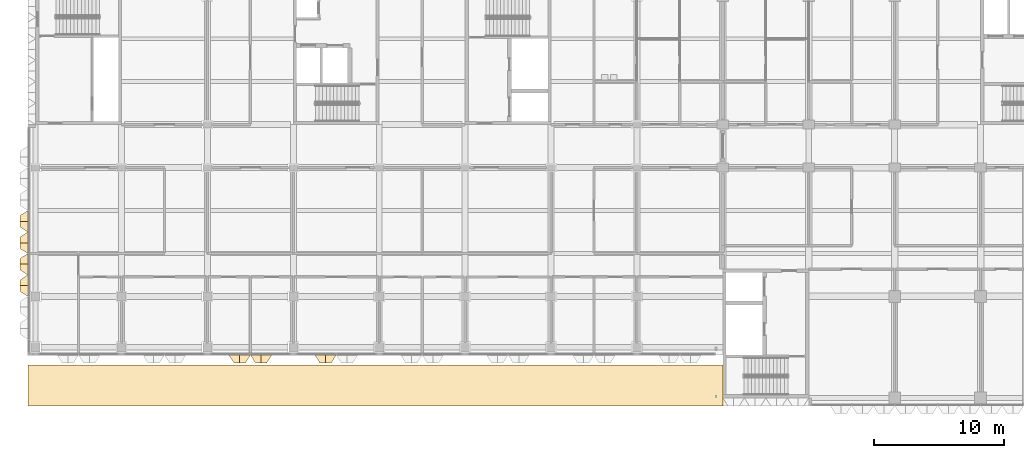
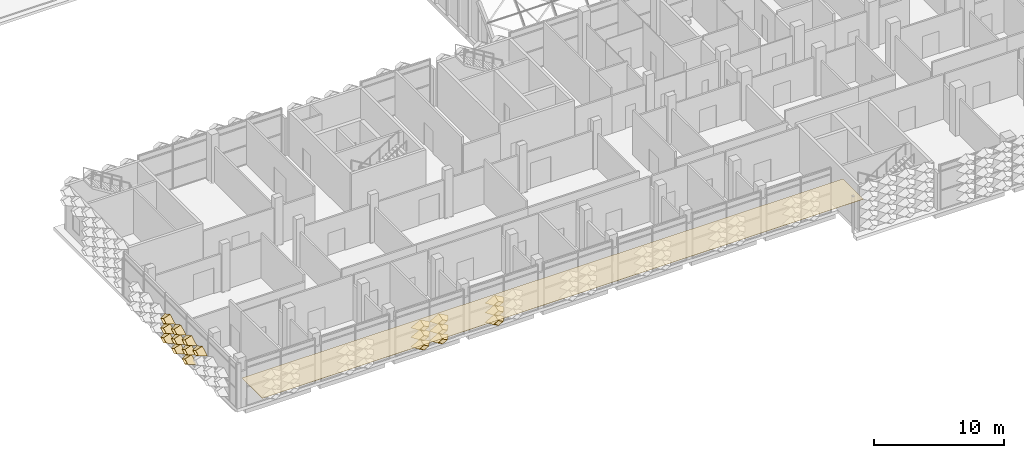
# One storey, part 63 of 109: 20 coverings.
"""IFC4 building model written with IfcOpenShell, lengths in metres."""

import ifcopenshell
import ifcopenshell.guid

model = None  # the IFC model being written
_history = None  # IfcOwnerHistory: only IFC2X3 demands one
_inside = {}  # id of a spatial element -> (the spatial element, [elements in it])
_under = {}  # id of a project, library or spatial element -> (it, [spatial elements below it])
_declared = {}  # id of a project -> (the project, [libraries it declares])
_typed = {}  # id of a type object -> (the type object, [elements of that type])
_made_of = {}  # id of a material, layer set ... -> (it, [elements and type objects made of it])


def new_model(schema):
    """Start an empty IFC model of exactly this schema.

    Asked for "IFC4X3", IfcOpenShell would pick the latest addendum, in which some entities
    have other attributes; the version numbers below select the first issue.
    IFC2X3 requires an IfcOwnerHistory on every rooted entity: one is made here for all.
    """
    global model, _history
    if schema == "IFC4X3":
        model = ifcopenshell.file(schema_version=(4, 3, 0, 0))
    else:
        model = ifcopenshell.file(schema=schema)
    _inside.clear()
    _under.clear()
    _declared.clear()
    _typed.clear()
    _made_of.clear()
    _history = None
    if model.schema == "IFC2X3":
        org = make("IfcOrganization", Name="unknown")
        user = make(
            "IfcPersonAndOrganization",
            ThePerson=make("IfcPerson", FamilyName="unknown"),
            TheOrganization=org,
        )
        app = make(
            "IfcApplication",
            ApplicationDeveloper=org,
            Version="unknown",
            ApplicationFullName="unknown",
            ApplicationIdentifier="unknown",
        )
        _history = make(
            "IfcOwnerHistory",
            OwningUser=user,
            OwningApplication=app,
            ChangeAction="ADDED",
            CreationDate=0,
        )
    return model


def make(cls, **values):
    """One entity of the class cls with the attributes given. An attribute that is None is left unset."""
    return model.create_entity(
        cls, **{name: value for name, value in values.items() if value is not None}
    )


def entity(cls, *values):
    """Any entity or typed value of the class cls, its attributes in the order of the schema. None: left unset."""
    e = model.create_entity(cls)
    for i, value in enumerate(values):
        if value is not None:
            e[i] = value
    return e


def rooted(cls, **values):
    """An entity with a GlobalId (a new one), such as an element, a storey or a relation."""
    return make(cls, GlobalId=ifcopenshell.guid.new(), OwnerHistory=_history, **values)


def si_unit(unit_type, name, prefix=None):
    """IfcSIUnit, for example si_unit("LENGTHUNIT", "METRE", prefix="MILLI")."""
    return make("IfcSIUnit", UnitType=unit_type, Prefix=prefix, Name=name)


def assignment(units):
    """IfcUnitAssignment: the units of a project."""
    return None if units is None else make("IfcUnitAssignment", Units=units)


def point(xyz):
    """IfcCartesianPoint."""
    return None if xyz is None else make("IfcCartesianPoint", Coordinates=xyz)


def direction(xyz):
    """IfcDirection."""
    return None if xyz is None else make("IfcDirection", DirectionRatios=xyz)


def frame(location, z_axis=None, x_axis=None):
    """IfcAxis2Placement3D, a coordinate frame: its origin and axes. An axis left out is left unset."""
    return make(
        "IfcAxis2Placement3D",
        Location=point(location),
        Axis=direction(z_axis),
        RefDirection=direction(x_axis),
    )


def origin():
    """The frame at (0, 0, 0) with its axes left unset."""
    return frame((0.0, 0.0, 0.0))


def place(relative_to, where):
    """IfcLocalPlacement: puts the frame where relative to a parent placement (None: the world)."""
    return make(
        "IfcLocalPlacement", PlacementRelTo=relative_to, RelativePlacement=where
    )


def context(
    kind, dimensions, precision=None, world=None, true_north=None, identifier=None
):
    """IfcGeometricRepresentationContext, for example the 3D "Model" context."""
    return make(
        "IfcGeometricRepresentationContext",
        ContextIdentifier=identifier,
        ContextType=kind,
        CoordinateSpaceDimension=dimensions,
        Precision=precision,
        WorldCoordinateSystem=world,
        TrueNorth=true_north,
    )


def subcontext(parent, identifier, kind, view, scale=None):
    """IfcGeometricRepresentationSubContext, for example "Body" below "Model"."""
    return make(
        "IfcGeometricRepresentationSubContext",
        ContextIdentifier=identifier,
        ContextType=kind,
        ParentContext=parent,
        TargetScale=scale,
        TargetView=view,
    )


def project(units=None, contexts=None):
    """IfcProject with its units and contexts."""
    return rooted(
        "IfcProject",
        Name="project",
        RepresentationContexts=contexts,
        UnitsInContext=assignment(units),
    )


def spatial(cls, under=None, at=None, **own):
    """A site, building, storey or space (cls), placed at a placement, below another one or the project."""
    s = rooted(cls, ObjectPlacement=at, **own)
    if under is not None:
        _under.setdefault(under.id(), (under, []))[1].append(s)
    return s


def polyline(points):
    """IfcPolyline through the points."""
    return make("IfcPolyline", Points=[point(p) for p in points])


def outline(outer, holes=None, kind="AREA"):
    """IfcArbitraryClosedProfileDef: a profile drawn as a closed curve; with holes, ...WithVoids."""
    if holes is None:
        return make("IfcArbitraryClosedProfileDef", ProfileType=kind, OuterCurve=outer)
    return make(
        "IfcArbitraryProfileDefWithVoids",
        ProfileType=kind,
        OuterCurve=outer,
        InnerCurves=holes,
    )


def extrude(swept, where, along, depth):
    """IfcExtrudedAreaSolid: the profile swept, set in the frame where, extruded along a direction by depth."""
    return make(
        "IfcExtrudedAreaSolid",
        SweptArea=swept,
        Position=where,
        ExtrudedDirection=direction(along),
        Depth=depth,
    )


def shape(context_of_items, identifier, shape_type, items):
    """IfcShapeRepresentation: the items that make up one representation, for example the "Body"."""
    return make(
        "IfcShapeRepresentation",
        ContextOfItems=context_of_items,
        RepresentationIdentifier=identifier,
        RepresentationType=shape_type,
        Items=items,
    )


def material(Name=None, Category=None):
    """IfcMaterial."""
    return make("IfcMaterial", Name=Name, Category=Category)


def layer(
    of_material, thickness, ventilated=None, Name=None, Category=None, Priority=None
):
    """IfcMaterialLayer: one layer of a wall or slab, of a material (None: an air gap)."""
    return make(
        "IfcMaterialLayer",
        Material=of_material,
        LayerThickness=thickness,
        IsVentilated=ventilated,
        Name=Name,
        Category=Category,
        Priority=Priority,
    )


def layer_set(layers, Name=None):
    """IfcMaterialLayerSet."""
    return make("IfcMaterialLayerSet", MaterialLayers=layers, LayerSetName=Name)


def made_of(thing, what):
    """Note that an element or type object is made of a material, layer set ...; save() writes the relation."""
    if what is not None:
        _made_of.setdefault(what.id(), (what, []))[1].append(thing)
    return thing


def type_object(cls, material=None, **own):
    """A type object (cls), such as IfcWallType, which elements share."""
    return made_of(rooted(cls, **own), material)


def element(
    cls,
    number,
    at=None,
    inside=None,
    cuts=None,
    type_object=None,
    material=None,
    context=None,
    identifier="Body",
    shape_type=None,
    held_by="IfcProductDefinitionShape",
    body=None,
    shapes=None,
    **own,
):
    """One element of the class cls, such as IfcWall. Its Tag is "e" and its number.

    at: its placement. inside: the storey or other place that contains it. cuts: it is an
    opening in that element (IfcRelVoidsElement). A single representation is given by context,
    identifier, shape_type and body (its items); several are given by shapes. held_by: the class
    of the entity that holds the representations. save() writes the other relations.
    """
    e = rooted(cls, Tag="e%d" % number, ObjectPlacement=at, **own)
    if body is not None:
        shapes = [shape(context, identifier, shape_type, body)]
    if shapes is not None:
        e.Representation = make(held_by, Representations=shapes)
    if inside is not None:
        _inside.setdefault(inside.id(), (inside, []))[1].append(e)
    if cuts is not None:
        rooted(
            "IfcRelVoidsElement", RelatingBuildingElement=cuts, RelatedOpeningElement=e
        )
    if type_object is not None:
        _typed.setdefault(type_object.id(), (type_object, []))[1].append(e)
    return made_of(e, material)


def aggregate(whole, parts):
    """IfcRelAggregates: a whole, such as a stair, and the parts it consists of."""
    return rooted("IfcRelAggregates", RelatingObject=whole, RelatedObjects=parts)


def save(model, path):
    """Write the relations noted so far, then the file.

    IfcRelAggregates (storeys below a building ...), IfcRelContainedInSpatialStructure (elements
    in a storey), IfcRelDefinesByType, IfcRelAssociatesMaterial and IfcRelDeclares: one each for
    every whole, place, type object, material and project.
    """
    for whole, parts in _under.values():
        aggregate(whole, parts)
    for where, things in _inside.values():
        rooted(
            "IfcRelContainedInSpatialStructure",
            RelatedElements=things,
            RelatingStructure=where,
        )
    for kind, things in _typed.values():
        rooted("IfcRelDefinesByType", RelatedObjects=things, RelatingType=kind)
    for what, things in _made_of.values():
        rooted("IfcRelAssociatesMaterial", RelatedObjects=things, RelatingMaterial=what)
    for by, libraries in _declared.values():
        rooted("IfcRelDeclares", RelatingContext=by, RelatedDefinitions=libraries)
    model.write(path)


model = new_model("IFC4")

# Units and contexts
model_context = context("Model", 3, precision=1e-05, world=origin(), true_north=direction((0.0, 1.0)))
body_context = subcontext(model_context, "Body", "Model", "MODEL_VIEW")
ifc_project = project(units=[si_unit("LENGTHUNIT", "METRE"), si_unit("AREAUNIT", "SQUARE_METRE"), si_unit("VOLUMEUNIT", "CUBIC_METRE"), si_unit("PLANEANGLEUNIT", "RADIAN"), si_unit("MASSUNIT", "GRAM", prefix="KILO")], contexts=[model_context])

# Site, building, storey
site_placement = place(None, origin())
site = spatial("IfcSite", under=ifc_project, at=site_placement, CompositionType="ELEMENT")
building_placement = place(site_placement, origin())
building = spatial("IfcBuilding", under=site, at=building_placement, Name="Lantern Court Research Institute", CompositionType="ELEMENT")
storey_placement = place(building_placement, frame((0.0, 0.0, 14.39990234375)))
storey = spatial("IfcBuildingStorey", under=building, at=storey_placement, Name="L03", CompositionType="ELEMENT", Elevation=14.39990234375)

# Coverings
ifc_material_1 = material(Name="Anodised aluminium", Category="aluminium")
ifc_layer_1 = layer(ifc_material_1, 0.01611328125)
ifc_layer_set_1 = layer_set([ifc_layer_1], Name="Anodised aluminium")
covering_type_1 = type_object("IfcCoveringType", Name="Fin cassette 1650 x 900 x 600 aluminium", PredefinedType="CLADDING", material=ifc_layer_set_1)
covering_1_placement = place(storey_placement, frame((15.675048828125, -4.5, 0.4501953125), z_axis=(0.0, -1.0, 0.0), x_axis=(1.0, 0.0, 0.0)))
cartesian_point_1 = entity("IfcCartesianPoint", [0.824951171875, 0.0])
cartesian_point_2 = entity("IfcCartesianPoint", [0.79150390625, 0.0])
cartesian_point_3 = entity("IfcCartesianPoint", [0.44189453125, 0.0])
cartesian_point_4 = entity("IfcCartesianPoint", [0.43359375, 0.0])
element("IfcCovering", 1, at=covering_1_placement, inside=storey, type_object=covering_type_1, Name="Fin cassette V4S-L03 1.10", PredefinedType="CLADDING", context=body_context, shape_type="SweptSolid", body=[
    entity("IfcExtrudedAreaSolidTapered", entity("IfcArbitraryProfileDefWithVoids", "AREA", None, entity("IfcPolyline", [cartesian_point_1, entity("IfcCartesianPoint", [0.0, 0.449951171875]), entity("IfcCartesianPoint", [-0.824951171875, 0.0]), entity("IfcCartesianPoint", [0.0, -0.449951171875]), cartesian_point_1]), [entity("IfcPolyline", [cartesian_point_2, entity("IfcCartesianPoint", [0.0, 0.431884765625]), entity("IfcCartesianPoint", [-0.79150390625, 0.0]), entity("IfcCartesianPoint", [0.0, -0.431884765625]), cartesian_point_2])]), entity("IfcAxis2Placement3D", entity("IfcCartesianPoint", [0.0, 0.0, 0.0])), entity("IfcDirection", [0.0, 0.0, 1.0]), 0.60009765625, entity("IfcArbitraryProfileDefWithVoids", "AREA", None, entity("IfcPolyline", [cartesian_point_3, entity("IfcCartesianPoint", [0.0, 0.240966796875]), entity("IfcCartesianPoint", [-0.44189453125, 0.0]), entity("IfcCartesianPoint", [0.0, -0.240966796875]), cartesian_point_3]), [entity("IfcPolyline", [cartesian_point_4, entity("IfcCartesianPoint", [0.0, 0.236572265625]), entity("IfcCartesianPoint", [-0.43359375, 0.0]), entity("IfcCartesianPoint", [0.0, -0.236572265625]), cartesian_point_4])])),
])
covering_2_placement = place(storey_placement, frame((17.324951171875, -4.5, 0.4501953125), z_axis=(0.0, -1.0, 0.0), x_axis=(1.0, 0.0, 0.0)))
cartesian_point_5 = entity("IfcCartesianPoint", [0.824951171875, 0.0])
cartesian_point_6 = entity("IfcCartesianPoint", [0.79150390625, 0.0])
cartesian_point_7 = entity("IfcCartesianPoint", [0.44189453125, 0.0])
cartesian_point_8 = entity("IfcCartesianPoint", [0.43359375, 0.0])
element("IfcCovering", 2, at=covering_2_placement, inside=storey, type_object=covering_type_1, Name="Fin cassette V4S-L03 1.11", PredefinedType="CLADDING", context=body_context, shape_type="SweptSolid", body=[
    entity("IfcExtrudedAreaSolidTapered", entity("IfcArbitraryProfileDefWithVoids", "AREA", None, entity("IfcPolyline", [cartesian_point_5, entity("IfcCartesianPoint", [0.0, 0.449951171875]), entity("IfcCartesianPoint", [-0.824951171875, 0.0]), entity("IfcCartesianPoint", [0.0, -0.449951171875]), cartesian_point_5]), [entity("IfcPolyline", [cartesian_point_6, entity("IfcCartesianPoint", [0.0, 0.431884765625]), entity("IfcCartesianPoint", [-0.79150390625, 0.0]), entity("IfcCartesianPoint", [0.0, -0.431884765625]), cartesian_point_6])]), entity("IfcAxis2Placement3D", entity("IfcCartesianPoint", [0.0, 0.0, 0.0])), entity("IfcDirection", [0.0, 0.0, 1.0]), 0.60009765625, entity("IfcArbitraryProfileDefWithVoids", "AREA", None, entity("IfcPolyline", [cartesian_point_7, entity("IfcCartesianPoint", [0.0, 0.240966796875]), entity("IfcCartesianPoint", [-0.44189453125, 0.0]), entity("IfcCartesianPoint", [0.0, -0.240966796875]), cartesian_point_7]), [entity("IfcPolyline", [cartesian_point_8, entity("IfcCartesianPoint", [0.0, 0.236572265625]), entity("IfcCartesianPoint", [-0.43359375, 0.0]), entity("IfcCartesianPoint", [0.0, -0.236572265625]), cartesian_point_8])])),
])
covering_3_placement = place(storey_placement, frame((22.27490234375, -4.5, 0.4501953125), z_axis=(0.0, -1.0, 0.0), x_axis=(1.0, 0.0, 0.0)))
cartesian_point_9 = entity("IfcCartesianPoint", [0.824951171875, 0.0])
cartesian_point_10 = entity("IfcCartesianPoint", [0.79150390625, 0.0])
cartesian_point_11 = entity("IfcCartesianPoint", [0.44189453125, 0.0])
cartesian_point_12 = entity("IfcCartesianPoint", [0.43359375, 0.0])
element("IfcCovering", 3, at=covering_3_placement, inside=storey, type_object=covering_type_1, Name="Fin cassette V4S-L03 1.14", PredefinedType="CLADDING", context=body_context, shape_type="SweptSolid", body=[
    entity("IfcExtrudedAreaSolidTapered", entity("IfcArbitraryProfileDefWithVoids", "AREA", None, entity("IfcPolyline", [cartesian_point_9, entity("IfcCartesianPoint", [0.0, 0.449951171875]), entity("IfcCartesianPoint", [-0.824951171875, 0.0]), entity("IfcCartesianPoint", [0.0, -0.449951171875]), cartesian_point_9]), [entity("IfcPolyline", [cartesian_point_10, entity("IfcCartesianPoint", [0.0, 0.431884765625]), entity("IfcCartesianPoint", [-0.79150390625, 0.0]), entity("IfcCartesianPoint", [0.0, -0.431884765625]), cartesian_point_10])]), entity("IfcAxis2Placement3D", entity("IfcCartesianPoint", [0.0, 0.0, 0.0])), entity("IfcDirection", [0.0, 0.0, 1.0]), 0.60009765625, entity("IfcArbitraryProfileDefWithVoids", "AREA", None, entity("IfcPolyline", [cartesian_point_11, entity("IfcCartesianPoint", [0.0, 0.240966796875]), entity("IfcCartesianPoint", [-0.44189453125, 0.0]), entity("IfcCartesianPoint", [0.0, -0.240966796875]), cartesian_point_11]), [entity("IfcPolyline", [cartesian_point_12, entity("IfcCartesianPoint", [0.0, 0.236572265625]), entity("IfcCartesianPoint", [-0.43359375, 0.0]), entity("IfcCartesianPoint", [0.0, -0.236572265625]), cartesian_point_12])])),
])
covering_4_placement = place(storey_placement, frame((15.675048828125, -4.5, 1.35009765625), z_axis=(0.0, -1.0, 0.0), x_axis=(1.0, 0.0, 0.0)))
cartesian_point_13 = entity("IfcCartesianPoint", [0.824951171875, 0.0])
cartesian_point_14 = entity("IfcCartesianPoint", [0.79150390625, 0.0])
cartesian_point_15 = entity("IfcCartesianPoint", [0.44189453125, 0.0])
cartesian_point_16 = entity("IfcCartesianPoint", [0.43359375, 0.0])
element("IfcCovering", 4, at=covering_4_placement, inside=storey, type_object=covering_type_1, Name="Fin cassette V4S-L03 2.10", PredefinedType="CLADDING", context=body_context, shape_type="SweptSolid", body=[
    entity("IfcExtrudedAreaSolidTapered", entity("IfcArbitraryProfileDefWithVoids", "AREA", None, entity("IfcPolyline", [cartesian_point_13, entity("IfcCartesianPoint", [0.0, 0.449951171875]), entity("IfcCartesianPoint", [-0.824951171875, 0.0]), entity("IfcCartesianPoint", [0.0, -0.449951171875]), cartesian_point_13]), [entity("IfcPolyline", [cartesian_point_14, entity("IfcCartesianPoint", [0.0, 0.431884765625]), entity("IfcCartesianPoint", [-0.79150390625, 0.0]), entity("IfcCartesianPoint", [0.0, -0.431884765625]), cartesian_point_14])]), entity("IfcAxis2Placement3D", entity("IfcCartesianPoint", [0.0, 0.0, 0.0])), entity("IfcDirection", [0.0, 0.0, 1.0]), 0.60009765625, entity("IfcArbitraryProfileDefWithVoids", "AREA", None, entity("IfcPolyline", [cartesian_point_15, entity("IfcCartesianPoint", [0.0, 0.240966796875]), entity("IfcCartesianPoint", [-0.44189453125, 0.0]), entity("IfcCartesianPoint", [0.0, -0.240966796875]), cartesian_point_15]), [entity("IfcPolyline", [cartesian_point_16, entity("IfcCartesianPoint", [0.0, 0.236572265625]), entity("IfcCartesianPoint", [-0.43359375, 0.0]), entity("IfcCartesianPoint", [0.0, -0.236572265625]), cartesian_point_16])])),
])
covering_5_placement = place(storey_placement, frame((17.324951171875, -4.5, 1.35009765625), z_axis=(0.0, -1.0, 0.0), x_axis=(1.0, 0.0, 0.0)))
cartesian_point_17 = entity("IfcCartesianPoint", [0.824951171875, 0.0])
cartesian_point_18 = entity("IfcCartesianPoint", [0.79150390625, 0.0])
cartesian_point_19 = entity("IfcCartesianPoint", [0.44189453125, 0.0])
cartesian_point_20 = entity("IfcCartesianPoint", [0.43359375, 0.0])
element("IfcCovering", 5, at=covering_5_placement, inside=storey, type_object=covering_type_1, Name="Fin cassette V4S-L03 2.11", PredefinedType="CLADDING", context=body_context, shape_type="SweptSolid", body=[
    entity("IfcExtrudedAreaSolidTapered", entity("IfcArbitraryProfileDefWithVoids", "AREA", None, entity("IfcPolyline", [cartesian_point_17, entity("IfcCartesianPoint", [0.0, 0.449951171875]), entity("IfcCartesianPoint", [-0.824951171875, 0.0]), entity("IfcCartesianPoint", [0.0, -0.449951171875]), cartesian_point_17]), [entity("IfcPolyline", [cartesian_point_18, entity("IfcCartesianPoint", [0.0, 0.431884765625]), entity("IfcCartesianPoint", [-0.79150390625, 0.0]), entity("IfcCartesianPoint", [0.0, -0.431884765625]), cartesian_point_18])]), entity("IfcAxis2Placement3D", entity("IfcCartesianPoint", [0.0, 0.0, 0.0])), entity("IfcDirection", [0.0, 0.0, 1.0]), 0.60009765625, entity("IfcArbitraryProfileDefWithVoids", "AREA", None, entity("IfcPolyline", [cartesian_point_19, entity("IfcCartesianPoint", [0.0, 0.240966796875]), entity("IfcCartesianPoint", [-0.44189453125, 0.0]), entity("IfcCartesianPoint", [0.0, -0.240966796875]), cartesian_point_19]), [entity("IfcPolyline", [cartesian_point_20, entity("IfcCartesianPoint", [0.0, 0.236572265625]), entity("IfcCartesianPoint", [-0.43359375, 0.0]), entity("IfcCartesianPoint", [0.0, -0.236572265625]), cartesian_point_20])])),
])
covering_6_placement = place(storey_placement, frame((22.27490234375, -4.5, 1.35009765625), z_axis=(0.0, -1.0, 0.0), x_axis=(1.0, 0.0, 0.0)))
cartesian_point_21 = entity("IfcCartesianPoint", [0.824951171875, 0.0])
cartesian_point_22 = entity("IfcCartesianPoint", [0.79150390625, 0.0])
cartesian_point_23 = entity("IfcCartesianPoint", [0.44189453125, 0.0])
cartesian_point_24 = entity("IfcCartesianPoint", [0.43359375, 0.0])
element("IfcCovering", 6, at=covering_6_placement, inside=storey, type_object=covering_type_1, Name="Fin cassette V4S-L03 2.14", PredefinedType="CLADDING", context=body_context, shape_type="SweptSolid", body=[
    entity("IfcExtrudedAreaSolidTapered", entity("IfcArbitraryProfileDefWithVoids", "AREA", None, entity("IfcPolyline", [cartesian_point_21, entity("IfcCartesianPoint", [0.0, 0.449951171875]), entity("IfcCartesianPoint", [-0.824951171875, 0.0]), entity("IfcCartesianPoint", [0.0, -0.449951171875]), cartesian_point_21]), [entity("IfcPolyline", [cartesian_point_22, entity("IfcCartesianPoint", [0.0, 0.431884765625]), entity("IfcCartesianPoint", [-0.79150390625, 0.0]), entity("IfcCartesianPoint", [0.0, -0.431884765625]), cartesian_point_22])]), entity("IfcAxis2Placement3D", entity("IfcCartesianPoint", [0.0, 0.0, 0.0])), entity("IfcDirection", [0.0, 0.0, 1.0]), 0.60009765625, entity("IfcArbitraryProfileDefWithVoids", "AREA", None, entity("IfcPolyline", [cartesian_point_23, entity("IfcCartesianPoint", [0.0, 0.240966796875]), entity("IfcCartesianPoint", [-0.44189453125, 0.0]), entity("IfcCartesianPoint", [0.0, -0.240966796875]), cartesian_point_23]), [entity("IfcPolyline", [cartesian_point_24, entity("IfcCartesianPoint", [0.0, 0.236572265625]), entity("IfcCartesianPoint", [-0.43359375, 0.0]), entity("IfcCartesianPoint", [0.0, -0.236572265625]), cartesian_point_24])])),
])
covering_7_placement = place(storey_placement, frame((15.675048828125, -4.5, 2.25), z_axis=(0.0, -1.0, 0.0), x_axis=(1.0, 0.0, 0.0)))
cartesian_point_25 = entity("IfcCartesianPoint", [0.824951171875, 0.0])
cartesian_point_26 = entity("IfcCartesianPoint", [0.79150390625, 0.0])
cartesian_point_27 = entity("IfcCartesianPoint", [0.44189453125, 0.0])
cartesian_point_28 = entity("IfcCartesianPoint", [0.43359375, 0.0])
element("IfcCovering", 7, at=covering_7_placement, inside=storey, type_object=covering_type_1, Name="Fin cassette V4S-L03 3.10", PredefinedType="CLADDING", context=body_context, shape_type="SweptSolid", body=[
    entity("IfcExtrudedAreaSolidTapered", entity("IfcArbitraryProfileDefWithVoids", "AREA", None, entity("IfcPolyline", [cartesian_point_25, entity("IfcCartesianPoint", [0.0, 0.449951171875]), entity("IfcCartesianPoint", [-0.824951171875, 0.0]), entity("IfcCartesianPoint", [0.0, -0.449951171875]), cartesian_point_25]), [entity("IfcPolyline", [cartesian_point_26, entity("IfcCartesianPoint", [0.0, 0.431884765625]), entity("IfcCartesianPoint", [-0.79150390625, 0.0]), entity("IfcCartesianPoint", [0.0, -0.431884765625]), cartesian_point_26])]), entity("IfcAxis2Placement3D", entity("IfcCartesianPoint", [0.0, 0.0, 0.0])), entity("IfcDirection", [0.0, 0.0, 1.0]), 0.60009765625, entity("IfcArbitraryProfileDefWithVoids", "AREA", None, entity("IfcPolyline", [cartesian_point_27, entity("IfcCartesianPoint", [0.0, 0.240966796875]), entity("IfcCartesianPoint", [-0.44189453125, 0.0]), entity("IfcCartesianPoint", [0.0, -0.240966796875]), cartesian_point_27]), [entity("IfcPolyline", [cartesian_point_28, entity("IfcCartesianPoint", [0.0, 0.236572265625]), entity("IfcCartesianPoint", [-0.43359375, 0.0]), entity("IfcCartesianPoint", [0.0, -0.236572265625]), cartesian_point_28])])),
])
covering_8_placement = place(storey_placement, frame((17.324951171875, -4.5, 2.25), z_axis=(0.0, -1.0, 0.0), x_axis=(1.0, 0.0, 0.0)))
cartesian_point_29 = entity("IfcCartesianPoint", [0.824951171875, 0.0])
cartesian_point_30 = entity("IfcCartesianPoint", [0.79150390625, 0.0])
cartesian_point_31 = entity("IfcCartesianPoint", [0.44189453125, 0.0])
cartesian_point_32 = entity("IfcCartesianPoint", [0.43359375, 0.0])
element("IfcCovering", 8, at=covering_8_placement, inside=storey, type_object=covering_type_1, Name="Fin cassette V4S-L03 3.11", PredefinedType="CLADDING", context=body_context, shape_type="SweptSolid", body=[
    entity("IfcExtrudedAreaSolidTapered", entity("IfcArbitraryProfileDefWithVoids", "AREA", None, entity("IfcPolyline", [cartesian_point_29, entity("IfcCartesianPoint", [0.0, 0.449951171875]), entity("IfcCartesianPoint", [-0.824951171875, 0.0]), entity("IfcCartesianPoint", [0.0, -0.449951171875]), cartesian_point_29]), [entity("IfcPolyline", [cartesian_point_30, entity("IfcCartesianPoint", [0.0, 0.431884765625]), entity("IfcCartesianPoint", [-0.79150390625, 0.0]), entity("IfcCartesianPoint", [0.0, -0.431884765625]), cartesian_point_30])]), entity("IfcAxis2Placement3D", entity("IfcCartesianPoint", [0.0, 0.0, 0.0])), entity("IfcDirection", [0.0, 0.0, 1.0]), 0.60009765625, entity("IfcArbitraryProfileDefWithVoids", "AREA", None, entity("IfcPolyline", [cartesian_point_31, entity("IfcCartesianPoint", [0.0, 0.240966796875]), entity("IfcCartesianPoint", [-0.44189453125, 0.0]), entity("IfcCartesianPoint", [0.0, -0.240966796875]), cartesian_point_31]), [entity("IfcPolyline", [cartesian_point_32, entity("IfcCartesianPoint", [0.0, 0.236572265625]), entity("IfcCartesianPoint", [-0.43359375, 0.0]), entity("IfcCartesianPoint", [0.0, -0.236572265625]), cartesian_point_32])])),
])
covering_9_placement = place(storey_placement, frame((22.27490234375, -4.5, 2.25), z_axis=(0.0, -1.0, 0.0), x_axis=(1.0, 0.0, 0.0)))
cartesian_point_33 = entity("IfcCartesianPoint", [0.824951171875, 0.0])
cartesian_point_34 = entity("IfcCartesianPoint", [0.79150390625, 0.0])
cartesian_point_35 = entity("IfcCartesianPoint", [0.44189453125, 0.0])
cartesian_point_36 = entity("IfcCartesianPoint", [0.43359375, 0.0])
element("IfcCovering", 9, at=covering_9_placement, inside=storey, type_object=covering_type_1, Name="Fin cassette V4S-L03 3.14", PredefinedType="CLADDING", context=body_context, shape_type="SweptSolid", body=[
    entity("IfcExtrudedAreaSolidTapered", entity("IfcArbitraryProfileDefWithVoids", "AREA", None, entity("IfcPolyline", [cartesian_point_33, entity("IfcCartesianPoint", [0.0, 0.449951171875]), entity("IfcCartesianPoint", [-0.824951171875, 0.0]), entity("IfcCartesianPoint", [0.0, -0.449951171875]), cartesian_point_33]), [entity("IfcPolyline", [cartesian_point_34, entity("IfcCartesianPoint", [0.0, 0.431884765625]), entity("IfcCartesianPoint", [-0.79150390625, 0.0]), entity("IfcCartesianPoint", [0.0, -0.431884765625]), cartesian_point_34])]), entity("IfcAxis2Placement3D", entity("IfcCartesianPoint", [0.0, 0.0, 0.0])), entity("IfcDirection", [0.0, 0.0, 1.0]), 0.60009765625, entity("IfcArbitraryProfileDefWithVoids", "AREA", None, entity("IfcPolyline", [cartesian_point_35, entity("IfcCartesianPoint", [0.0, 0.240966796875]), entity("IfcCartesianPoint", [-0.44189453125, 0.0]), entity("IfcCartesianPoint", [0.0, -0.240966796875]), cartesian_point_35]), [entity("IfcPolyline", [cartesian_point_36, entity("IfcCartesianPoint", [0.0, 0.236572265625]), entity("IfcCartesianPoint", [-0.43359375, 0.0]), entity("IfcCartesianPoint", [0.0, -0.236572265625]), cartesian_point_36])])),
])
covering_10_placement = place(storey_placement, frame((-0.60009765625, 2.47509765625, 0.4501953125), z_axis=(-1.0, 0.0, 0.0), x_axis=(0.0, -1.0, 0.0)))
cartesian_point_37 = entity("IfcCartesianPoint", [0.824951171875, 0.0])
cartesian_point_38 = entity("IfcCartesianPoint", [0.79150390625, 0.0])
cartesian_point_39 = entity("IfcCartesianPoint", [0.44189453125, 0.0])
cartesian_point_40 = entity("IfcCartesianPoint", [0.43359375, 0.0])
element("IfcCovering", 10, at=covering_10_placement, inside=storey, type_object=covering_type_1, Name="Fin cassette V4W-L03 1.2", PredefinedType="CLADDING", context=body_context, shape_type="SweptSolid", body=[
    entity("IfcExtrudedAreaSolidTapered", entity("IfcArbitraryProfileDefWithVoids", "AREA", None, entity("IfcPolyline", [cartesian_point_37, entity("IfcCartesianPoint", [0.0, 0.449951171875]), entity("IfcCartesianPoint", [-0.824951171875, 0.0]), entity("IfcCartesianPoint", [0.0, -0.449951171875]), cartesian_point_37]), [entity("IfcPolyline", [cartesian_point_38, entity("IfcCartesianPoint", [0.0, 0.431884765625]), entity("IfcCartesianPoint", [-0.79150390625, 0.0]), entity("IfcCartesianPoint", [0.0, -0.431884765625]), cartesian_point_38])]), entity("IfcAxis2Placement3D", entity("IfcCartesianPoint", [0.0, 0.0, 0.0])), entity("IfcDirection", [0.0, 0.0, 1.0]), 0.60009765625, entity("IfcArbitraryProfileDefWithVoids", "AREA", None, entity("IfcPolyline", [cartesian_point_39, entity("IfcCartesianPoint", [0.0, 0.240966796875]), entity("IfcCartesianPoint", [-0.44189453125, 0.0]), entity("IfcCartesianPoint", [0.0, -0.240966796875]), cartesian_point_39]), [entity("IfcPolyline", [cartesian_point_40, entity("IfcCartesianPoint", [0.0, 0.236572265625]), entity("IfcCartesianPoint", [-0.43359375, 0.0]), entity("IfcCartesianPoint", [0.0, -0.236572265625]), cartesian_point_40])])),
])
covering_11_placement = place(storey_placement, frame((-0.60009765625, 4.125, 0.4501953125), z_axis=(-1.0, 0.0, 0.0), x_axis=(0.0, -1.0, 0.0)))
cartesian_point_41 = entity("IfcCartesianPoint", [0.824951171875, 0.0])
cartesian_point_42 = entity("IfcCartesianPoint", [0.79150390625, 0.0])
cartesian_point_43 = entity("IfcCartesianPoint", [0.44189453125, 0.0])
cartesian_point_44 = entity("IfcCartesianPoint", [0.43359375, 0.0])
element("IfcCovering", 11, at=covering_11_placement, inside=storey, type_object=covering_type_1, Name="Fin cassette V4W-L03 1.3", PredefinedType="CLADDING", context=body_context, shape_type="SweptSolid", body=[
    entity("IfcExtrudedAreaSolidTapered", entity("IfcArbitraryProfileDefWithVoids", "AREA", None, entity("IfcPolyline", [cartesian_point_41, entity("IfcCartesianPoint", [0.0, 0.449951171875]), entity("IfcCartesianPoint", [-0.824951171875, 0.0]), entity("IfcCartesianPoint", [0.0, -0.449951171875]), cartesian_point_41]), [entity("IfcPolyline", [cartesian_point_42, entity("IfcCartesianPoint", [0.0, 0.431884765625]), entity("IfcCartesianPoint", [-0.79150390625, 0.0]), entity("IfcCartesianPoint", [0.0, -0.431884765625]), cartesian_point_42])]), entity("IfcAxis2Placement3D", entity("IfcCartesianPoint", [0.0, 0.0, 0.0])), entity("IfcDirection", [0.0, 0.0, 1.0]), 0.60009765625, entity("IfcArbitraryProfileDefWithVoids", "AREA", None, entity("IfcPolyline", [cartesian_point_43, entity("IfcCartesianPoint", [0.0, 0.240966796875]), entity("IfcCartesianPoint", [-0.44189453125, 0.0]), entity("IfcCartesianPoint", [0.0, -0.240966796875]), cartesian_point_43]), [entity("IfcPolyline", [cartesian_point_44, entity("IfcCartesianPoint", [0.0, 0.236572265625]), entity("IfcCartesianPoint", [-0.43359375, 0.0]), entity("IfcCartesianPoint", [0.0, -0.236572265625]), cartesian_point_44])])),
])
covering_12_placement = place(storey_placement, frame((-0.60009765625, 5.77490234375, 0.4501953125), z_axis=(-1.0, 0.0, 0.0), x_axis=(0.0, -1.0, 0.0)))
cartesian_point_45 = entity("IfcCartesianPoint", [0.824951171875, 0.0])
cartesian_point_46 = entity("IfcCartesianPoint", [0.79150390625, 0.0])
cartesian_point_47 = entity("IfcCartesianPoint", [0.44189453125, 0.0])
cartesian_point_48 = entity("IfcCartesianPoint", [0.43359375, 0.0])
element("IfcCovering", 12, at=covering_12_placement, inside=storey, type_object=covering_type_1, Name="Fin cassette V4W-L03 1.4", PredefinedType="CLADDING", context=body_context, shape_type="SweptSolid", body=[
    entity("IfcExtrudedAreaSolidTapered", entity("IfcArbitraryProfileDefWithVoids", "AREA", None, entity("IfcPolyline", [cartesian_point_45, entity("IfcCartesianPoint", [0.0, 0.449951171875]), entity("IfcCartesianPoint", [-0.824951171875, 0.0]), entity("IfcCartesianPoint", [0.0, -0.449951171875]), cartesian_point_45]), [entity("IfcPolyline", [cartesian_point_46, entity("IfcCartesianPoint", [0.0, 0.431884765625]), entity("IfcCartesianPoint", [-0.79150390625, 0.0]), entity("IfcCartesianPoint", [0.0, -0.431884765625]), cartesian_point_46])]), entity("IfcAxis2Placement3D", entity("IfcCartesianPoint", [0.0, 0.0, 0.0])), entity("IfcDirection", [0.0, 0.0, 1.0]), 0.60009765625, entity("IfcArbitraryProfileDefWithVoids", "AREA", None, entity("IfcPolyline", [cartesian_point_47, entity("IfcCartesianPoint", [0.0, 0.240966796875]), entity("IfcCartesianPoint", [-0.44189453125, 0.0]), entity("IfcCartesianPoint", [0.0, -0.240966796875]), cartesian_point_47]), [entity("IfcPolyline", [cartesian_point_48, entity("IfcCartesianPoint", [0.0, 0.236572265625]), entity("IfcCartesianPoint", [-0.43359375, 0.0]), entity("IfcCartesianPoint", [0.0, -0.236572265625]), cartesian_point_48])])),
])
covering_13_placement = place(storey_placement, frame((-0.60009765625, 2.47509765625, 1.35009765625), z_axis=(-1.0, 0.0, 0.0), x_axis=(0.0, -1.0, 0.0)))
cartesian_point_49 = entity("IfcCartesianPoint", [0.824951171875, 0.0])
cartesian_point_50 = entity("IfcCartesianPoint", [0.79150390625, 0.0])
cartesian_point_51 = entity("IfcCartesianPoint", [0.44189453125, 0.0])
cartesian_point_52 = entity("IfcCartesianPoint", [0.43359375, 0.0])
element("IfcCovering", 13, at=covering_13_placement, inside=storey, type_object=covering_type_1, Name="Fin cassette V4W-L03 2.2", PredefinedType="CLADDING", context=body_context, shape_type="SweptSolid", body=[
    entity("IfcExtrudedAreaSolidTapered", entity("IfcArbitraryProfileDefWithVoids", "AREA", None, entity("IfcPolyline", [cartesian_point_49, entity("IfcCartesianPoint", [0.0, 0.449951171875]), entity("IfcCartesianPoint", [-0.824951171875, 0.0]), entity("IfcCartesianPoint", [0.0, -0.449951171875]), cartesian_point_49]), [entity("IfcPolyline", [cartesian_point_50, entity("IfcCartesianPoint", [0.0, 0.431884765625]), entity("IfcCartesianPoint", [-0.79150390625, 0.0]), entity("IfcCartesianPoint", [0.0, -0.431884765625]), cartesian_point_50])]), entity("IfcAxis2Placement3D", entity("IfcCartesianPoint", [0.0, 0.0, 0.0])), entity("IfcDirection", [0.0, 0.0, 1.0]), 0.60009765625, entity("IfcArbitraryProfileDefWithVoids", "AREA", None, entity("IfcPolyline", [cartesian_point_51, entity("IfcCartesianPoint", [0.0, 0.240966796875]), entity("IfcCartesianPoint", [-0.44189453125, 0.0]), entity("IfcCartesianPoint", [0.0, -0.240966796875]), cartesian_point_51]), [entity("IfcPolyline", [cartesian_point_52, entity("IfcCartesianPoint", [0.0, 0.236572265625]), entity("IfcCartesianPoint", [-0.43359375, 0.0]), entity("IfcCartesianPoint", [0.0, -0.236572265625]), cartesian_point_52])])),
])
covering_14_placement = place(storey_placement, frame((-0.60009765625, 4.125, 1.35009765625), z_axis=(-1.0, 0.0, 0.0), x_axis=(0.0, -1.0, 0.0)))
cartesian_point_53 = entity("IfcCartesianPoint", [0.824951171875, 0.0])
cartesian_point_54 = entity("IfcCartesianPoint", [0.79150390625, 0.0])
cartesian_point_55 = entity("IfcCartesianPoint", [0.44189453125, 0.0])
cartesian_point_56 = entity("IfcCartesianPoint", [0.43359375, 0.0])
element("IfcCovering", 14, at=covering_14_placement, inside=storey, type_object=covering_type_1, Name="Fin cassette V4W-L03 2.3", PredefinedType="CLADDING", context=body_context, shape_type="SweptSolid", body=[
    entity("IfcExtrudedAreaSolidTapered", entity("IfcArbitraryProfileDefWithVoids", "AREA", None, entity("IfcPolyline", [cartesian_point_53, entity("IfcCartesianPoint", [0.0, 0.449951171875]), entity("IfcCartesianPoint", [-0.824951171875, 0.0]), entity("IfcCartesianPoint", [0.0, -0.449951171875]), cartesian_point_53]), [entity("IfcPolyline", [cartesian_point_54, entity("IfcCartesianPoint", [0.0, 0.431884765625]), entity("IfcCartesianPoint", [-0.79150390625, 0.0]), entity("IfcCartesianPoint", [0.0, -0.431884765625]), cartesian_point_54])]), entity("IfcAxis2Placement3D", entity("IfcCartesianPoint", [0.0, 0.0, 0.0])), entity("IfcDirection", [0.0, 0.0, 1.0]), 0.60009765625, entity("IfcArbitraryProfileDefWithVoids", "AREA", None, entity("IfcPolyline", [cartesian_point_55, entity("IfcCartesianPoint", [0.0, 0.240966796875]), entity("IfcCartesianPoint", [-0.44189453125, 0.0]), entity("IfcCartesianPoint", [0.0, -0.240966796875]), cartesian_point_55]), [entity("IfcPolyline", [cartesian_point_56, entity("IfcCartesianPoint", [0.0, 0.236572265625]), entity("IfcCartesianPoint", [-0.43359375, 0.0]), entity("IfcCartesianPoint", [0.0, -0.236572265625]), cartesian_point_56])])),
])
covering_15_placement = place(storey_placement, frame((-0.60009765625, 5.77490234375, 1.35009765625), z_axis=(-1.0, 0.0, 0.0), x_axis=(0.0, -1.0, 0.0)))
cartesian_point_57 = entity("IfcCartesianPoint", [0.824951171875, 0.0])
cartesian_point_58 = entity("IfcCartesianPoint", [0.79150390625, 0.0])
cartesian_point_59 = entity("IfcCartesianPoint", [0.44189453125, 0.0])
cartesian_point_60 = entity("IfcCartesianPoint", [0.43359375, 0.0])
element("IfcCovering", 15, at=covering_15_placement, inside=storey, type_object=covering_type_1, Name="Fin cassette V4W-L03 2.4", PredefinedType="CLADDING", context=body_context, shape_type="SweptSolid", body=[
    entity("IfcExtrudedAreaSolidTapered", entity("IfcArbitraryProfileDefWithVoids", "AREA", None, entity("IfcPolyline", [cartesian_point_57, entity("IfcCartesianPoint", [0.0, 0.449951171875]), entity("IfcCartesianPoint", [-0.824951171875, 0.0]), entity("IfcCartesianPoint", [0.0, -0.449951171875]), cartesian_point_57]), [entity("IfcPolyline", [cartesian_point_58, entity("IfcCartesianPoint", [0.0, 0.431884765625]), entity("IfcCartesianPoint", [-0.79150390625, 0.0]), entity("IfcCartesianPoint", [0.0, -0.431884765625]), cartesian_point_58])]), entity("IfcAxis2Placement3D", entity("IfcCartesianPoint", [0.0, 0.0, 0.0])), entity("IfcDirection", [0.0, 0.0, 1.0]), 0.60009765625, entity("IfcArbitraryProfileDefWithVoids", "AREA", None, entity("IfcPolyline", [cartesian_point_59, entity("IfcCartesianPoint", [0.0, 0.240966796875]), entity("IfcCartesianPoint", [-0.44189453125, 0.0]), entity("IfcCartesianPoint", [0.0, -0.240966796875]), cartesian_point_59]), [entity("IfcPolyline", [cartesian_point_60, entity("IfcCartesianPoint", [0.0, 0.236572265625]), entity("IfcCartesianPoint", [-0.43359375, 0.0]), entity("IfcCartesianPoint", [0.0, -0.236572265625]), cartesian_point_60])])),
])
covering_16_placement = place(storey_placement, frame((-0.60009765625, 0.824951171875, 2.25), z_axis=(-1.0, 0.0, 0.0), x_axis=(0.0, -1.0, 0.0)))
cartesian_point_61 = entity("IfcCartesianPoint", [0.824951171875, 0.0])
cartesian_point_62 = entity("IfcCartesianPoint", [0.79150390625, 0.0])
cartesian_point_63 = entity("IfcCartesianPoint", [0.44189453125, 0.0])
cartesian_point_64 = entity("IfcCartesianPoint", [0.43359375, 0.0])
element("IfcCovering", 16, at=covering_16_placement, inside=storey, type_object=covering_type_1, Name="Fin cassette V4W-L03 3.1", PredefinedType="CLADDING", context=body_context, shape_type="SweptSolid", body=[
    entity("IfcExtrudedAreaSolidTapered", entity("IfcArbitraryProfileDefWithVoids", "AREA", None, entity("IfcPolyline", [cartesian_point_61, entity("IfcCartesianPoint", [0.0, 0.449951171875]), entity("IfcCartesianPoint", [-0.824951171875, 0.0]), entity("IfcCartesianPoint", [0.0, -0.449951171875]), cartesian_point_61]), [entity("IfcPolyline", [cartesian_point_62, entity("IfcCartesianPoint", [0.0, 0.431884765625]), entity("IfcCartesianPoint", [-0.79150390625, 0.0]), entity("IfcCartesianPoint", [0.0, -0.431884765625]), cartesian_point_62])]), entity("IfcAxis2Placement3D", entity("IfcCartesianPoint", [0.0, 0.0, 0.0])), entity("IfcDirection", [0.0, 0.0, 1.0]), 0.60009765625, entity("IfcArbitraryProfileDefWithVoids", "AREA", None, entity("IfcPolyline", [cartesian_point_63, entity("IfcCartesianPoint", [0.0, 0.240966796875]), entity("IfcCartesianPoint", [-0.44189453125, 0.0]), entity("IfcCartesianPoint", [0.0, -0.240966796875]), cartesian_point_63]), [entity("IfcPolyline", [cartesian_point_64, entity("IfcCartesianPoint", [0.0, 0.236572265625]), entity("IfcCartesianPoint", [-0.43359375, 0.0]), entity("IfcCartesianPoint", [0.0, -0.236572265625]), cartesian_point_64])])),
])
covering_17_placement = place(storey_placement, frame((-0.60009765625, 2.47509765625, 2.25), z_axis=(-1.0, 0.0, 0.0), x_axis=(0.0, -1.0, 0.0)))
cartesian_point_65 = entity("IfcCartesianPoint", [0.824951171875, 0.0])
cartesian_point_66 = entity("IfcCartesianPoint", [0.79150390625, 0.0])
cartesian_point_67 = entity("IfcCartesianPoint", [0.44189453125, 0.0])
cartesian_point_68 = entity("IfcCartesianPoint", [0.43359375, 0.0])
element("IfcCovering", 17, at=covering_17_placement, inside=storey, type_object=covering_type_1, Name="Fin cassette V4W-L03 3.2", PredefinedType="CLADDING", context=body_context, shape_type="SweptSolid", body=[
    entity("IfcExtrudedAreaSolidTapered", entity("IfcArbitraryProfileDefWithVoids", "AREA", None, entity("IfcPolyline", [cartesian_point_65, entity("IfcCartesianPoint", [0.0, 0.449951171875]), entity("IfcCartesianPoint", [-0.824951171875, 0.0]), entity("IfcCartesianPoint", [0.0, -0.449951171875]), cartesian_point_65]), [entity("IfcPolyline", [cartesian_point_66, entity("IfcCartesianPoint", [0.0, 0.431884765625]), entity("IfcCartesianPoint", [-0.79150390625, 0.0]), entity("IfcCartesianPoint", [0.0, -0.431884765625]), cartesian_point_66])]), entity("IfcAxis2Placement3D", entity("IfcCartesianPoint", [0.0, 0.0, 0.0])), entity("IfcDirection", [0.0, 0.0, 1.0]), 0.60009765625, entity("IfcArbitraryProfileDefWithVoids", "AREA", None, entity("IfcPolyline", [cartesian_point_67, entity("IfcCartesianPoint", [0.0, 0.240966796875]), entity("IfcCartesianPoint", [-0.44189453125, 0.0]), entity("IfcCartesianPoint", [0.0, -0.240966796875]), cartesian_point_67]), [entity("IfcPolyline", [cartesian_point_68, entity("IfcCartesianPoint", [0.0, 0.236572265625]), entity("IfcCartesianPoint", [-0.43359375, 0.0]), entity("IfcCartesianPoint", [0.0, -0.236572265625]), cartesian_point_68])])),
])
covering_18_placement = place(storey_placement, frame((-0.60009765625, 4.125, 2.25), z_axis=(-1.0, 0.0, 0.0), x_axis=(0.0, -1.0, 0.0)))
cartesian_point_69 = entity("IfcCartesianPoint", [0.824951171875, 0.0])
cartesian_point_70 = entity("IfcCartesianPoint", [0.79150390625, 0.0])
cartesian_point_71 = entity("IfcCartesianPoint", [0.44189453125, 0.0])
cartesian_point_72 = entity("IfcCartesianPoint", [0.43359375, 0.0])
element("IfcCovering", 18, at=covering_18_placement, inside=storey, type_object=covering_type_1, Name="Fin cassette V4W-L03 3.3", PredefinedType="CLADDING", context=body_context, shape_type="SweptSolid", body=[
    entity("IfcExtrudedAreaSolidTapered", entity("IfcArbitraryProfileDefWithVoids", "AREA", None, entity("IfcPolyline", [cartesian_point_69, entity("IfcCartesianPoint", [0.0, 0.449951171875]), entity("IfcCartesianPoint", [-0.824951171875, 0.0]), entity("IfcCartesianPoint", [0.0, -0.449951171875]), cartesian_point_69]), [entity("IfcPolyline", [cartesian_point_70, entity("IfcCartesianPoint", [0.0, 0.431884765625]), entity("IfcCartesianPoint", [-0.79150390625, 0.0]), entity("IfcCartesianPoint", [0.0, -0.431884765625]), cartesian_point_70])]), entity("IfcAxis2Placement3D", entity("IfcCartesianPoint", [0.0, 0.0, 0.0])), entity("IfcDirection", [0.0, 0.0, 1.0]), 0.60009765625, entity("IfcArbitraryProfileDefWithVoids", "AREA", None, entity("IfcPolyline", [cartesian_point_71, entity("IfcCartesianPoint", [0.0, 0.240966796875]), entity("IfcCartesianPoint", [-0.44189453125, 0.0]), entity("IfcCartesianPoint", [0.0, -0.240966796875]), cartesian_point_71]), [entity("IfcPolyline", [cartesian_point_72, entity("IfcCartesianPoint", [0.0, 0.236572265625]), entity("IfcCartesianPoint", [-0.43359375, 0.0]), entity("IfcCartesianPoint", [0.0, -0.236572265625]), cartesian_point_72])])),
])
covering_19_placement = place(storey_placement, frame((-0.60009765625, 5.77490234375, 2.25), z_axis=(-1.0, 0.0, 0.0), x_axis=(0.0, -1.0, 0.0)))
cartesian_point_73 = entity("IfcCartesianPoint", [0.824951171875, 0.0])
cartesian_point_74 = entity("IfcCartesianPoint", [0.79150390625, 0.0])
cartesian_point_75 = entity("IfcCartesianPoint", [0.44189453125, 0.0])
cartesian_point_76 = entity("IfcCartesianPoint", [0.43359375, 0.0])
element("IfcCovering", 19, at=covering_19_placement, inside=storey, type_object=covering_type_1, Name="Fin cassette V4W-L03 3.4", PredefinedType="CLADDING", context=body_context, shape_type="SweptSolid", body=[
    entity("IfcExtrudedAreaSolidTapered", entity("IfcArbitraryProfileDefWithVoids", "AREA", None, entity("IfcPolyline", [cartesian_point_73, entity("IfcCartesianPoint", [0.0, 0.449951171875]), entity("IfcCartesianPoint", [-0.824951171875, 0.0]), entity("IfcCartesianPoint", [0.0, -0.449951171875]), cartesian_point_73]), [entity("IfcPolyline", [cartesian_point_74, entity("IfcCartesianPoint", [0.0, 0.431884765625]), entity("IfcCartesianPoint", [-0.79150390625, 0.0]), entity("IfcCartesianPoint", [0.0, -0.431884765625]), cartesian_point_74])]), entity("IfcAxis2Placement3D", entity("IfcCartesianPoint", [0.0, 0.0, 0.0])), entity("IfcDirection", [0.0, 0.0, 1.0]), 0.60009765625, entity("IfcArbitraryProfileDefWithVoids", "AREA", None, entity("IfcPolyline", [cartesian_point_75, entity("IfcCartesianPoint", [0.0, 0.240966796875]), entity("IfcCartesianPoint", [-0.44189453125, 0.0]), entity("IfcCartesianPoint", [0.0, -0.240966796875]), cartesian_point_75]), [entity("IfcPolyline", [cartesian_point_76, entity("IfcCartesianPoint", [0.0, 0.236572265625]), entity("IfcCartesianPoint", [-0.43359375, 0.0]), entity("IfcCartesianPoint", [0.0, -0.236572265625]), cartesian_point_76])])),
])
ifc_material_2 = material(Name="Anodised aluminium", Category="aluminium")
ifc_layer_2 = layer(ifc_material_2, 0.02001953125)
ifc_layer_set_2 = layer_set([ifc_layer_2], Name="Anodised aluminium")
covering_type_2 = type_object("IfcCoveringType", Name="Step soffit lining 20 aluminium", PredefinedType="CLADDING", material=ifc_layer_set_2)
covering_20_placement = place(storey_placement, frame((0.0, 0.0, 3.380126953125)))
element("IfcCovering", 20, at=covering_20_placement, inside=storey, type_object=covering_type_2, Name="Step soffit lining 1", PredefinedType="CLADDING", context=body_context, shape_type="SweptSolid", body=[
    extrude(outline(polyline([(52.800048828125, -8.39990234375), (52.800048828125, -5.25), (-0.60009765625, -5.25), (-0.60009765625, -8.39990234375), (52.800048828125, -8.39990234375)])), origin(), (0.0, 0.0, 1.0), 0.02001953125),
])

save(model, "model.ifc")
